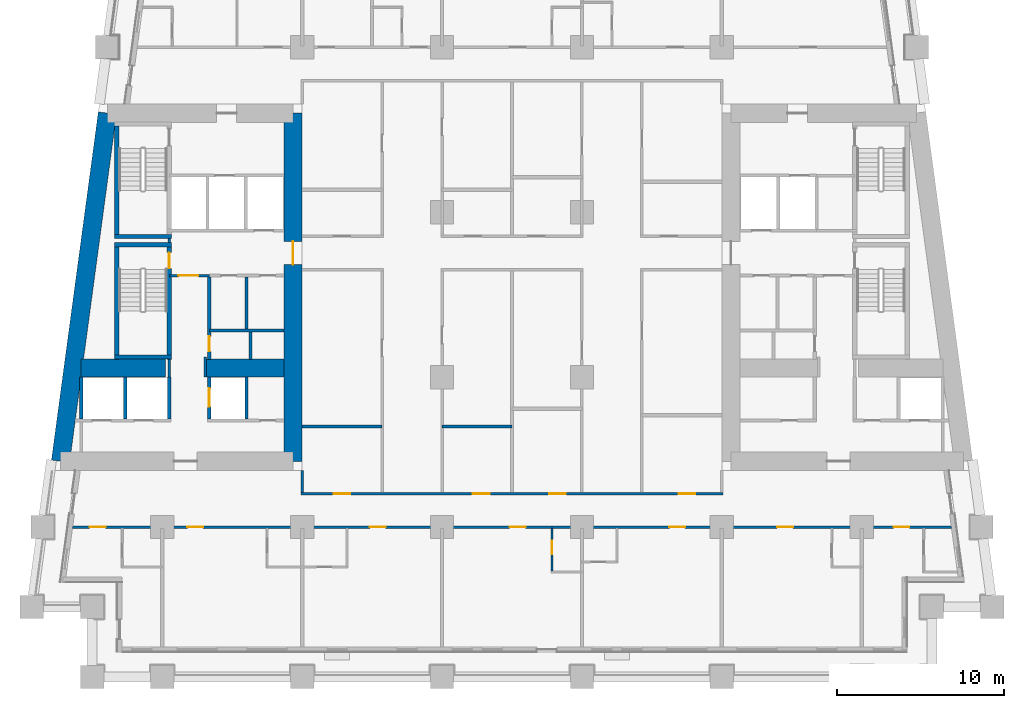
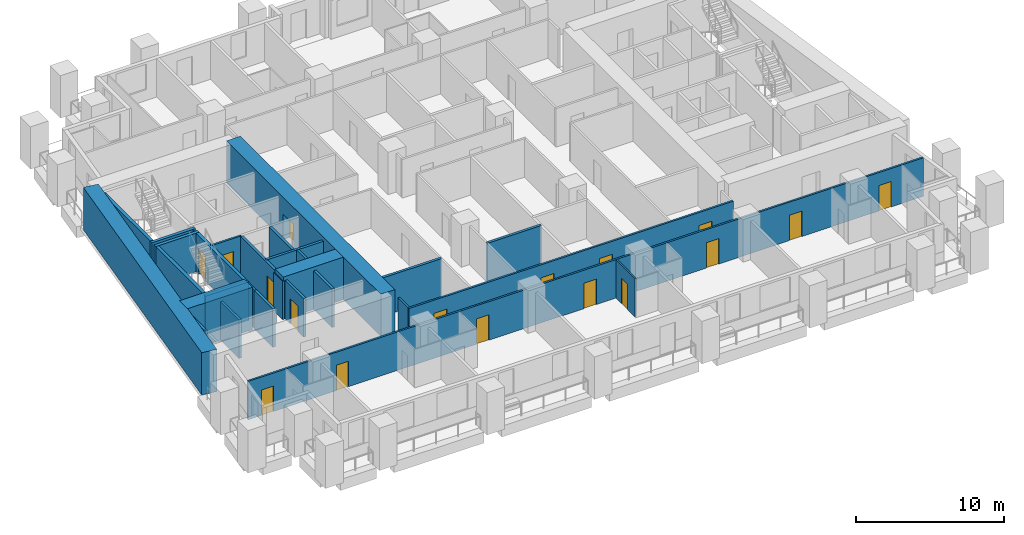
# One storey, part 3 of 13: 29 walls, 17 doors, 17 openings.
"""IFC4 building model written with IfcOpenShell, lengths in metres."""

from ifc_helpers import new_model, si_unit, direction, frame, frame_2d, origin, place, context, subcontext, project, spatial, rectangle, extrude, material, layer, layer_set, type_object, element, fill, save


model = new_model("IFC4")

# Units and contexts
model_context = context("Model", 3, precision=1e-05, world=origin(), true_north=direction((0.0, 1.0)))
body_context = subcontext(model_context, "Body", "Model", "MODEL_VIEW")
ifc_project = project(units=[si_unit("LENGTHUNIT", "METRE"), si_unit("AREAUNIT", "SQUARE_METRE"), si_unit("VOLUMEUNIT", "CUBIC_METRE"), si_unit("PLANEANGLEUNIT", "RADIAN"), si_unit("MASSUNIT", "GRAM", prefix="KILO")], contexts=[model_context])

# Site, building, storey
site_placement = place(None, origin())
site = spatial("IfcSite", under=ifc_project, at=site_placement, CompositionType="ELEMENT")
building_placement = place(site_placement, origin())
building = spatial("IfcBuilding", under=site, at=building_placement, Name="Candeia Pilgrim Tower and Theatre", CompositionType="ELEMENT")
storey_placement = place(building_placement, frame((0.0, 0.0, 60.0)))
storey = spatial("IfcBuildingStorey", under=building, at=storey_placement, Name="L12", CompositionType="ELEMENT", Elevation=60.0)

# Wall, opening, door
ifc_material_1 = material(Name="Concrete C80/95", Category="concrete")
ifc_layer_1 = layer(ifc_material_1, 1.10009765625)
ifc_layer_set_1 = layer_set([ifc_layer_1], Name="Core wall 1100 C80/95")
wall_type_1 = type_object("IfcWallType", Name="Core wall 1100 C80/95", PredefinedType="SHEAR", material=ifc_layer_set_1)
wall_1_placement = place(storey_placement, frame((100.25, 131.85009765625, 0.0), z_axis=(0.0, 0.0, 1.0), x_axis=(0.0, -1.0, 0.0)))
wall_1 = element("IfcWall", 1, at=wall_1_placement, inside=storey, type_object=wall_type_1, Name="Core wall W2", PredefinedType="SHEAR", context=body_context, shape_type="SweptSolid", body=[
    extrude(rectangle(XDim=20.900146484375, YDim=1.10009765625, at=frame_2d((10.4501953125, 0.0))), origin(), (0.0, 0.0, 1.0), 3.5),
])
opening_1_placement = place(wall_1_placement, frame((7.699951171875, 0.0, 0.0)))
opening_1 = element("IfcOpeningElement", 2, at=opening_1_placement, cuts=wall_1, Name="Opening L12-D059", PredefinedType="OPENING", context=body_context, shape_type="SweptSolid", body=[
    extrude(rectangle(XDim=1.39990234375, YDim=2.10009765625, at=frame_2d((0.699951171875, 1.050048828125))), frame((0.0, 0.56005859375, 0.0), z_axis=(0.0, -1.0, 0.0), x_axis=(1.0, 0.0, 0.0)), (0.0, 0.0, 1.0), 1.1201171875),
])
ifc_material_2 = material(Name="Steel fire door set", Category="steel")
door_type_1 = type_object("IfcDoorType", Name="D-1400-FD60", OperationType="NOTDEFINED", PredefinedType="DOOR", material=ifc_material_2)
door_1_placement = place(opening_1_placement, origin())
door_1 = element("IfcDoor", 3, at=door_1_placement, inside=storey, type_object=door_type_1, Name="Door L12-D059", OperationType="SINGLE_SWING_LEFT", OverallHeight=2.10009765625, OverallWidth=1.39990234375, PredefinedType="DOOR", context=body_context, shape_type="SweptSolid", body=[
    extrude(rectangle(XDim=1.39990234375, YDim=2.10009765625, at=frame_2d((0.699951171875, 1.050048828125))), frame((0.0, 0.02490234375, 0.0), z_axis=(0.0, -1.0, 0.0), x_axis=(1.0, 0.0, 0.0)), (0.0, 0.0, 1.0), 0.050048828125),
])
fill(opening_1, door_1)

# Walls
wall_2_placement = place(storey_placement, frame((86.29833984375, 110.949951171875, 0.0), z_axis=(0.0, 0.0, 1.0), x_axis=(0.133400422634, 0.99106222168, 0.0)))
element("IfcWall", 4, at=wall_2_placement, inside=storey, type_object=wall_type_1, Name="Core wall W4", PredefinedType="SHEAR", context=body_context, shape_type="SweptSolid", body=[
    extrude(rectangle(XDim=21.088623046875, YDim=1.10009765625, at=frame_2d((10.54443359375, 0.0))), origin(), (0.0, 0.0, 1.0), 3.5),
])
wall_3_placement = place(storey_placement, frame((87.523193359375, 116.550048828125, 0.0), z_axis=(0.0, 0.0, 1.0), x_axis=(1.0, 0.0, 0.0)))
element("IfcWall", 5, at=wall_3_placement, inside=storey, type_object=wall_type_1, Name="Core wall W5", PredefinedType="SHEAR", context=body_context, shape_type="SweptSolid", body=[
    extrude(rectangle(XDim=5.076904296875, YDim=1.10009765625, at=frame_2d((2.53857421875, 0.0))), origin(), (0.0, 0.0, 1.0), 3.5),
])
wall_4_placement = place(storey_placement, frame((95.0, 116.550048828125, 0.0), z_axis=(0.0, 0.0, 1.0), x_axis=(1.0, 0.0, 0.0)))
element("IfcWall", 6, at=wall_4_placement, inside=storey, type_object=wall_type_1, Name="Core wall W6", PredefinedType="SHEAR", context=body_context, shape_type="SweptSolid", body=[
    extrude(rectangle(XDim=4.699951171875, YDim=1.10009765625, at=frame_2d((2.35009765625, 0.0))), origin(), (0.0, 0.0, 1.0), 3.5),
])

# Wall, opening, door
ifc_material_3 = material(Name="Gypsum board partition on steel studs", Category="steel")
ifc_layer_2 = layer(ifc_material_3, 0.10009765625)
ifc_layer_set_2 = layer_set([ifc_layer_2], Name="PW-100 room partition")
wall_type_2 = type_object("IfcWallType", Name="PW-100 room partition", PredefinedType="PARTITIONING", material=ifc_layer_set_2)
wall_5_placement = place(storey_placement, frame((115.800048828125, 104.35009765625, 0.0), z_axis=(0.0, 0.0, 1.0), x_axis=(0.0, 1.0, 0.0)))
wall_5 = element("IfcWall", 7, at=wall_5_placement, inside=storey, type_object=wall_type_2, Name="Room partition L12-091", PredefinedType="PARTITIONING", context=body_context, shape_type="SweptSolid", body=[
    extrude(rectangle(XDim=2.574951171875, YDim=0.10009765625, at=frame_2d((1.28759765625, 0.0))), origin(), (0.0, 0.0, 1.0), 3.179931640625),
])
opening_2_placement = place(wall_5_placement, frame((1.02001953125, 0.0, 0.0)))
opening_2 = element("IfcOpeningElement", 8, at=opening_2_placement, cuts=wall_5, Name="Opening L12-D023", PredefinedType="OPENING", context=body_context, shape_type="SweptSolid", body=[
    extrude(rectangle(XDim=0.800048828125, YDim=2.10009765625, at=frame_2d((0.39990234375, 1.050048828125))), frame((0.0, 0.06005859375, 0.0), z_axis=(0.0, -1.0, 0.0), x_axis=(1.0, 0.0, 0.0)), (0.0, 0.0, 1.0), 0.1201171875),
])
ifc_material_4 = material(Name="Timber door leaf", Category="wood")
door_type_2 = type_object("IfcDoorType", Name="D-800", OperationType="NOTDEFINED", PredefinedType="DOOR", material=ifc_material_4)
door_2_placement = place(opening_2_placement, origin())
door_2 = element("IfcDoor", 9, at=door_2_placement, inside=storey, type_object=door_type_2, Name="Door L12-D023", OperationType="SINGLE_SWING_LEFT", OverallHeight=2.10009765625, OverallWidth=0.800048828125, PredefinedType="DOOR", context=body_context, shape_type="SweptSolid", body=[
    extrude(rectangle(XDim=0.800048828125, YDim=2.10009765625, at=frame_2d((0.39990234375, 1.050048828125))), frame((0.0, 0.02490234375, 0.0), z_axis=(0.0, -1.0, 0.0), x_axis=(1.0, 0.0, 0.0)), (0.0, 0.0, 1.0), 0.050048828125),
])
fill(opening_2, door_2)

ifc_layer_3 = layer(ifc_material_3, 0.14990234375)
ifc_layer_set_3 = layer_set([ifc_layer_3], Name="PW-150 lobby wall")
wall_type_3 = type_object("IfcWallType", Name="PW-150 lobby wall", PredefinedType="PARTITIONING", material=ifc_layer_set_3)
wall_6_placement = place(storey_placement, frame((92.826904296875, 122.10009765625, 0.0), z_axis=(0.0, 0.0, 1.0), x_axis=(1.0, 0.0, 0.0)))
wall_6 = element("IfcWall", 10, at=wall_6_placement, inside=storey, type_object=wall_type_3, Name="Lobby wall L12-023", PredefinedType="PARTITIONING", context=body_context, shape_type="SweptSolid", body=[
    extrude(rectangle(XDim=2.400146484375, YDim=0.14990234375, at=frame_2d((1.2001953125, 0.0))), origin(), (0.0, 0.0, 1.0), 3.179931640625),
])
opening_3_placement = place(wall_6_placement, frame((0.550048828125, 0.0, 0.0)))
opening_3 = element("IfcOpeningElement", 11, at=opening_3_placement, cuts=wall_6, Name="Opening L12-D001", PredefinedType="OPENING", context=body_context, shape_type="SweptSolid", body=[
    extrude(rectangle(XDim=1.199951171875, YDim=2.10009765625, at=frame_2d((0.60009765625, 1.050048828125))), frame((0.0, 0.0849609375, 0.0), z_axis=(0.0, -1.0, 0.0), x_axis=(1.0, 0.0, 0.0)), (0.0, 0.0, 1.0), 0.169921875),
])
door_type_3 = type_object("IfcDoorType", Name="D-1200-FD60", OperationType="NOTDEFINED", PredefinedType="DOOR", material=ifc_material_2)
door_3_placement = place(opening_3_placement, origin())
door_3 = element("IfcDoor", 12, at=door_3_placement, inside=storey, type_object=door_type_3, Name="Door L12-D001", OperationType="SINGLE_SWING_LEFT", OverallHeight=2.10009765625, OverallWidth=1.199951171875, PredefinedType="DOOR", context=body_context, shape_type="SweptSolid", body=[
    extrude(rectangle(XDim=1.199951171875, YDim=2.10009765625, at=frame_2d((0.60009765625, 1.050048828125))), frame((0.0, 0.02490234375, 0.0), z_axis=(0.0, -1.0, 0.0), x_axis=(1.0, 0.0, 0.0)), (0.0, 0.0, 1.0), 0.050048828125),
])
fill(opening_3, door_3)

# Walls
wall_7_placement = place(storey_placement, frame((92.826904296875, 116.0, 0.0), z_axis=(0.0, 0.0, 1.0), x_axis=(0.0, 1.0, 0.0)))
element("IfcWall", 13, at=wall_7_placement, inside=storey, type_object=wall_type_3, Name="Lobby wall L12-061", PredefinedType="PARTITIONING", context=body_context, shape_type="SweptSolid", body=[
    extrude(rectangle(XDim=1.070068359375, YDim=0.14990234375, at=frame_2d((0.53515625, 0.0))), origin(), (0.0, 0.0, 1.0), 3.179931640625),
])
wall_8_placement = place(storey_placement, frame((92.826904296875, 124.074951171875, 0.0), z_axis=(0.0, 0.0, 1.0), x_axis=(0.0, 1.0, 0.0)))
element("IfcWall", 14, at=wall_8_placement, inside=storey, type_object=wall_type_3, Name="Lobby wall L12-062", PredefinedType="PARTITIONING", context=body_context, shape_type="SweptSolid", body=[
    extrude(rectangle(XDim=0.25, YDim=0.14990234375, at=frame_2d((0.125, 0.0))), origin(), (0.0, 0.0, 1.0), 3.179931640625),
])
wall_9_placement = place(storey_placement, frame((95.0, 116.0, 0.0), z_axis=(0.0, 0.0, 1.0), x_axis=(0.0, 1.0, 0.0)))
element("IfcWall", 15, at=wall_9_placement, inside=storey, type_object=wall_type_3, Name="Lobby wall L12-066", PredefinedType="PARTITIONING", context=body_context, shape_type="SweptSolid", body=[
    extrude(rectangle(XDim=1.199951171875, YDim=0.14990234375, at=frame_2d((0.60009765625, 0.0))), origin(), (0.0, 0.0, 1.0), 3.179931640625),
])

# Wall, openings, doors
ifc_layer_4 = layer(ifc_material_3, 0.14990234375)
ifc_layer_set_4 = layer_set([ifc_layer_4], Name="PW-150 unit wall")
wall_type_4 = type_object("IfcWallType", Name="PW-150 unit wall", PredefinedType="PARTITIONING", material=ifc_layer_set_4)
wall_10_placement = place(storey_placement, frame((87.017578125, 107.0, 0.0), z_axis=(0.0, 0.0, 1.0), x_axis=(1.0, 0.0, 0.0)))
wall_10 = element("IfcWall", 16, at=wall_10_placement, inside=storey, type_object=wall_type_4, Name="Unit wall L12-007", PredefinedType="PARTITIONING", context=body_context, shape_type="SweptSolid", body=[
    extrude(rectangle(XDim=52.7646484375, YDim=0.14990234375, at=frame_2d((26.38232421875, 0.0))), origin(), (0.0, 0.0, 1.0), 3.179931640625),
])
opening_4_placement = place(wall_10_placement, frame((1.0322265625, 0.0, 0.0)))
opening_4 = element("IfcOpeningElement", 17, at=opening_4_placement, cuts=wall_10, Name="Opening L12-D016", PredefinedType="OPENING", context=body_context, shape_type="SweptSolid", body=[
    extrude(rectangle(XDim=0.949951171875, YDim=2.10009765625, at=frame_2d((0.47509765625, 1.050048828125))), frame((0.0, 0.0849609375, 0.0), z_axis=(0.0, -1.0, 0.0), x_axis=(1.0, 0.0, 0.0)), (0.0, 0.0, 1.0), 0.169921875),
])
opening_5_placement = place(wall_10_placement, frame((6.894287109375, 0.0, 0.0)))
opening_5 = element("IfcOpeningElement", 18, at=opening_5_placement, cuts=wall_10, Name="Opening L12-D018", PredefinedType="OPENING", context=body_context, shape_type="SweptSolid", body=[
    extrude(rectangle(XDim=0.949951171875, YDim=2.10009765625, at=frame_2d((0.47509765625, 1.050048828125))), frame((0.0, 0.0849609375, 0.0), z_axis=(0.0, -1.0, 0.0), x_axis=(1.0, 0.0, 0.0)), (0.0, 0.0, 1.0), 0.169921875),
])
opening_6_placement = place(wall_10_placement, frame((17.84423828125, 0.0, 0.0)))
opening_6 = element("IfcOpeningElement", 19, at=opening_6_placement, cuts=wall_10, Name="Opening L12-D020", PredefinedType="OPENING", context=body_context, shape_type="SweptSolid", body=[
    extrude(rectangle(XDim=0.949951171875, YDim=2.10009765625, at=frame_2d((0.47509765625, 1.050048828125))), frame((0.0, 0.0849609375, 0.0), z_axis=(0.0, -1.0, 0.0), x_axis=(1.0, 0.0, 0.0)), (0.0, 0.0, 1.0), 0.169921875),
])
opening_7_placement = place(wall_10_placement, frame((26.245361328125, 0.0, 0.0)))
opening_7 = element("IfcOpeningElement", 20, at=opening_7_placement, cuts=wall_10, Name="Opening L12-D022", PredefinedType="OPENING", context=body_context, shape_type="SweptSolid", body=[
    extrude(rectangle(XDim=0.949951171875, YDim=2.10009765625, at=frame_2d((0.47509765625, 1.050048828125))), frame((0.0, 0.0849609375, 0.0), z_axis=(0.0, -1.0, 0.0), x_axis=(1.0, 0.0, 0.0)), (0.0, 0.0, 1.0), 0.169921875),
])
opening_8_placement = place(wall_10_placement, frame((35.822265625, 0.0, 0.0)))
opening_8 = element("IfcOpeningElement", 21, at=opening_8_placement, cuts=wall_10, Name="Opening L12-D024", PredefinedType="OPENING", context=body_context, shape_type="SweptSolid", body=[
    extrude(rectangle(XDim=0.949951171875, YDim=2.10009765625, at=frame_2d((0.47509765625, 1.050048828125))), frame((0.0, 0.0849609375, 0.0), z_axis=(0.0, -1.0, 0.0), x_axis=(1.0, 0.0, 0.0)), (0.0, 0.0, 1.0), 0.169921875),
])
opening_9_placement = place(wall_10_placement, frame((42.30224609375, 0.0, 0.0)))
opening_9 = element("IfcOpeningElement", 22, at=opening_9_placement, cuts=wall_10, Name="Opening L12-D026", PredefinedType="OPENING", context=body_context, shape_type="SweptSolid", body=[
    extrude(rectangle(XDim=0.949951171875, YDim=2.10009765625, at=frame_2d((0.47509765625, 1.050048828125))), frame((0.0, 0.0849609375, 0.0), z_axis=(0.0, -1.0, 0.0), x_axis=(1.0, 0.0, 0.0)), (0.0, 0.0, 1.0), 0.169921875),
])
opening_10_placement = place(wall_10_placement, frame((49.285400390625, 0.0, 0.0)))
opening_10 = element("IfcOpeningElement", 23, at=opening_10_placement, cuts=wall_10, Name="Opening L12-D028", PredefinedType="OPENING", context=body_context, shape_type="SweptSolid", body=[
    extrude(rectangle(XDim=0.949951171875, YDim=2.10009765625, at=frame_2d((0.47509765625, 1.050048828125))), frame((0.0, 0.0849609375, 0.0), z_axis=(0.0, -1.0, 0.0), x_axis=(1.0, 0.0, 0.0)), (0.0, 0.0, 1.0), 0.169921875),
])
door_type_4 = type_object("IfcDoorType", Name="D-950-FD30S", OperationType="NOTDEFINED", PredefinedType="DOOR", material=ifc_material_2)
door_4_placement = place(opening_4_placement, origin())
door_4 = element("IfcDoor", 24, at=door_4_placement, inside=storey, type_object=door_type_4, Name="Door L12-D016", OperationType="SINGLE_SWING_RIGHT", OverallHeight=2.10009765625, OverallWidth=0.949951171875, PredefinedType="DOOR", context=body_context, shape_type="SweptSolid", body=[
    extrude(rectangle(XDim=0.949951171875, YDim=2.10009765625, at=frame_2d((0.47509765625, 1.050048828125))), frame((0.0, 0.02490234375, 0.0), z_axis=(0.0, -1.0, 0.0), x_axis=(1.0, 0.0, 0.0)), (0.0, 0.0, 1.0), 0.050048828125),
])
fill(opening_4, door_4)
door_5_placement = place(opening_5_placement, origin())
door_5 = element("IfcDoor", 25, at=door_5_placement, inside=storey, type_object=door_type_4, Name="Door L12-D018", OperationType="SINGLE_SWING_RIGHT", OverallHeight=2.10009765625, OverallWidth=0.949951171875, PredefinedType="DOOR", context=body_context, shape_type="SweptSolid", body=[
    extrude(rectangle(XDim=0.949951171875, YDim=2.10009765625, at=frame_2d((0.47509765625, 1.050048828125))), frame((0.0, 0.02490234375, 0.0), z_axis=(0.0, -1.0, 0.0), x_axis=(1.0, 0.0, 0.0)), (0.0, 0.0, 1.0), 0.050048828125),
])
fill(opening_5, door_5)
door_6_placement = place(opening_6_placement, origin())
door_6 = element("IfcDoor", 26, at=door_6_placement, inside=storey, type_object=door_type_4, Name="Door L12-D020", OperationType="SINGLE_SWING_RIGHT", OverallHeight=2.10009765625, OverallWidth=0.949951171875, PredefinedType="DOOR", context=body_context, shape_type="SweptSolid", body=[
    extrude(rectangle(XDim=0.949951171875, YDim=2.10009765625, at=frame_2d((0.47509765625, 1.050048828125))), frame((0.0, 0.02490234375, 0.0), z_axis=(0.0, -1.0, 0.0), x_axis=(1.0, 0.0, 0.0)), (0.0, 0.0, 1.0), 0.050048828125),
])
fill(opening_6, door_6)
door_7_placement = place(opening_7_placement, origin())
door_7 = element("IfcDoor", 27, at=door_7_placement, inside=storey, type_object=door_type_4, Name="Door L12-D022", OperationType="SINGLE_SWING_RIGHT", OverallHeight=2.10009765625, OverallWidth=0.949951171875, PredefinedType="DOOR", context=body_context, shape_type="SweptSolid", body=[
    extrude(rectangle(XDim=0.949951171875, YDim=2.10009765625, at=frame_2d((0.47509765625, 1.050048828125))), frame((0.0, 0.02490234375, 0.0), z_axis=(0.0, -1.0, 0.0), x_axis=(1.0, 0.0, 0.0)), (0.0, 0.0, 1.0), 0.050048828125),
])
fill(opening_7, door_7)
door_8_placement = place(opening_8_placement, origin())
door_8 = element("IfcDoor", 28, at=door_8_placement, inside=storey, type_object=door_type_4, Name="Door L12-D024", OperationType="SINGLE_SWING_RIGHT", OverallHeight=2.10009765625, OverallWidth=0.949951171875, PredefinedType="DOOR", context=body_context, shape_type="SweptSolid", body=[
    extrude(rectangle(XDim=0.949951171875, YDim=2.10009765625, at=frame_2d((0.47509765625, 1.050048828125))), frame((0.0, 0.02490234375, 0.0), z_axis=(0.0, -1.0, 0.0), x_axis=(1.0, 0.0, 0.0)), (0.0, 0.0, 1.0), 0.050048828125),
])
fill(opening_8, door_8)
door_9_placement = place(opening_9_placement, origin())
door_9 = element("IfcDoor", 29, at=door_9_placement, inside=storey, type_object=door_type_4, Name="Door L12-D026", OperationType="SINGLE_SWING_RIGHT", OverallHeight=2.10009765625, OverallWidth=0.949951171875, PredefinedType="DOOR", context=body_context, shape_type="SweptSolid", body=[
    extrude(rectangle(XDim=0.949951171875, YDim=2.10009765625, at=frame_2d((0.47509765625, 1.050048828125))), frame((0.0, 0.02490234375, 0.0), z_axis=(0.0, -1.0, 0.0), x_axis=(1.0, 0.0, 0.0)), (0.0, 0.0, 1.0), 0.050048828125),
])
fill(opening_9, door_9)
door_10_placement = place(opening_10_placement, origin())
door_10 = element("IfcDoor", 30, at=door_10_placement, inside=storey, type_object=door_type_4, Name="Door L12-D028", OperationType="SINGLE_SWING_RIGHT", OverallHeight=2.10009765625, OverallWidth=0.949951171875, PredefinedType="DOOR", context=body_context, shape_type="SweptSolid", body=[
    extrude(rectangle(XDim=0.949951171875, YDim=2.10009765625, at=frame_2d((0.47509765625, 1.050048828125))), frame((0.0, 0.02490234375, 0.0), z_axis=(0.0, -1.0, 0.0), x_axis=(1.0, 0.0, 0.0)), (0.0, 0.0, 1.0), 0.050048828125),
])
fill(opening_10, door_10)

wall_11_placement = place(storey_placement, frame((100.72509765625, 109.0, 0.0), z_axis=(0.0, 0.0, 1.0), x_axis=(1.0, 0.0, 0.0)))
wall_11 = element("IfcWall", 31, at=wall_11_placement, inside=storey, type_object=wall_type_4, Name="Unit wall L12-008", PredefinedType="PARTITIONING", context=body_context, shape_type="SweptSolid", body=[
    extrude(rectangle(XDim=25.349853515625, YDim=0.14990234375, at=frame_2d((12.6748046875, 0.0))), origin(), (0.0, 0.0, 1.0), 3.179931640625),
])
opening_11_placement = place(wall_11_placement, frame((1.97509765625, 0.0, 0.0)))
opening_11 = element("IfcOpeningElement", 32, at=opening_11_placement, cuts=wall_11, Name="Opening L12-D041", PredefinedType="OPENING", context=body_context, shape_type="SweptSolid", body=[
    extrude(rectangle(XDim=1.0, YDim=2.10009765625, at=frame_2d((0.5, 1.050048828125))), frame((0.0, 0.0849609375, 0.0), z_axis=(0.0, -1.0, 0.0), x_axis=(1.0, 0.0, 0.0)), (0.0, 0.0, 1.0), 0.169921875),
])
opening_12_placement = place(wall_11_placement, frame((10.324951171875, 0.0, 0.0)))
opening_12 = element("IfcOpeningElement", 33, at=opening_12_placement, cuts=wall_11, Name="Opening L12-D045", PredefinedType="OPENING", context=body_context, shape_type="SweptSolid", body=[
    extrude(rectangle(XDim=1.0, YDim=2.10009765625, at=frame_2d((0.5, 1.050048828125))), frame((0.0, 0.0849609375, 0.0), z_axis=(0.0, -1.0, 0.0), x_axis=(1.0, 0.0, 0.0)), (0.0, 0.0, 1.0), 0.169921875),
])
opening_13_placement = place(wall_11_placement, frame((14.89990234375, 0.0, 0.0)))
opening_13 = element("IfcOpeningElement", 34, at=opening_13_placement, cuts=wall_11, Name="Opening L12-D049", PredefinedType="OPENING", context=body_context, shape_type="SweptSolid", body=[
    extrude(rectangle(XDim=1.0, YDim=2.10009765625, at=frame_2d((0.5, 1.050048828125))), frame((0.0, 0.0849609375, 0.0), z_axis=(0.0, -1.0, 0.0), x_axis=(1.0, 0.0, 0.0)), (0.0, 0.0, 1.0), 0.169921875),
])
opening_14_placement = place(wall_11_placement, frame((22.68505859375, 0.0, 0.0)))
opening_14 = element("IfcOpeningElement", 35, at=opening_14_placement, cuts=wall_11, Name="Opening L12-D053", PredefinedType="OPENING", context=body_context, shape_type="SweptSolid", body=[
    extrude(rectangle(XDim=1.0, YDim=2.10009765625, at=frame_2d((0.5, 1.050048828125))), frame((0.0, 0.0849609375, 0.0), z_axis=(0.0, -1.0, 0.0), x_axis=(1.0, 0.0, 0.0)), (0.0, 0.0, 1.0), 0.169921875),
])
door_type_5 = type_object("IfcDoorType", Name="D-1000-FD30S", OperationType="NOTDEFINED", PredefinedType="DOOR", material=ifc_material_2)
door_11_placement = place(opening_11_placement, origin())
door_11 = element("IfcDoor", 36, at=door_11_placement, inside=storey, type_object=door_type_5, Name="Door L12-D041", OperationType="SINGLE_SWING_LEFT", OverallHeight=2.10009765625, OverallWidth=1.0, PredefinedType="DOOR", context=body_context, shape_type="SweptSolid", body=[
    extrude(rectangle(XDim=1.0, YDim=2.10009765625, at=frame_2d((0.5, 1.050048828125))), frame((0.0, 0.02490234375, 0.0), z_axis=(0.0, -1.0, 0.0), x_axis=(1.0, 0.0, 0.0)), (0.0, 0.0, 1.0), 0.050048828125),
])
fill(opening_11, door_11)
door_12_placement = place(opening_12_placement, origin())
door_12 = element("IfcDoor", 37, at=door_12_placement, inside=storey, type_object=door_type_5, Name="Door L12-D045", OperationType="SINGLE_SWING_LEFT", OverallHeight=2.10009765625, OverallWidth=1.0, PredefinedType="DOOR", context=body_context, shape_type="SweptSolid", body=[
    extrude(rectangle(XDim=1.0, YDim=2.10009765625, at=frame_2d((0.5, 1.050048828125))), frame((0.0, 0.02490234375, 0.0), z_axis=(0.0, -1.0, 0.0), x_axis=(1.0, 0.0, 0.0)), (0.0, 0.0, 1.0), 0.050048828125),
])
fill(opening_12, door_12)
door_13_placement = place(opening_13_placement, origin())
door_13 = element("IfcDoor", 38, at=door_13_placement, inside=storey, type_object=door_type_5, Name="Door L12-D049", OperationType="SINGLE_SWING_LEFT", OverallHeight=2.10009765625, OverallWidth=1.0, PredefinedType="DOOR", context=body_context, shape_type="SweptSolid", body=[
    extrude(rectangle(XDim=1.0, YDim=2.10009765625, at=frame_2d((0.5, 1.050048828125))), frame((0.0, 0.02490234375, 0.0), z_axis=(0.0, -1.0, 0.0), x_axis=(1.0, 0.0, 0.0)), (0.0, 0.0, 1.0), 0.050048828125),
])
fill(opening_13, door_13)
door_14_placement = place(opening_14_placement, origin())
door_14 = element("IfcDoor", 39, at=door_14_placement, inside=storey, type_object=door_type_5, Name="Door L12-D053", OperationType="SINGLE_SWING_LEFT", OverallHeight=2.10009765625, OverallWidth=1.0, PredefinedType="DOOR", context=body_context, shape_type="SweptSolid", body=[
    extrude(rectangle(XDim=1.0, YDim=2.10009765625, at=frame_2d((0.5, 1.050048828125))), frame((0.0, 0.02490234375, 0.0), z_axis=(0.0, -1.0, 0.0), x_axis=(1.0, 0.0, 0.0)), (0.0, 0.0, 1.0), 0.050048828125),
])
fill(opening_14, door_14)

# Walls
wall_12_placement = place(storey_placement, frame((100.800048828125, 109.074951171875, 0.0), z_axis=(0.0, 0.0, 1.0), x_axis=(0.0, 1.0, 0.0)))
element("IfcWall", 40, at=wall_12_placement, inside=storey, type_object=wall_type_4, Name="Unit wall L12-078", PredefinedType="PARTITIONING", context=body_context, shape_type="SweptSolid", body=[
    extrude(rectangle(XDim=1.324951171875, YDim=0.14990234375, at=frame_2d((0.66259765625, 0.0))), origin(), (0.0, 0.0, 1.0), 3.179931640625),
])
ifc_layer_5 = layer(ifc_material_3, 0.199951171875)
ifc_layer_set_5 = layer_set([ifc_layer_5], Name="PW-200 party wall")
wall_type_5 = type_object("IfcWallType", Name="PW-200 party wall", PredefinedType="PARTITIONING", material=ifc_layer_set_5)
wall_13_placement = place(storey_placement, frame((100.800048828125, 113.034912109375, 0.0), z_axis=(0.0, 0.0, 1.0), x_axis=(1.0, 0.0, 0.0)))
element("IfcWall", 41, at=wall_13_placement, inside=storey, type_object=wall_type_5, Name="Party wall L12-009", PredefinedType="PARTITIONING", context=body_context, shape_type="SweptSolid", body=[
    extrude(rectangle(XDim=4.800048828125, YDim=0.199951171875, at=frame_2d((2.39990234375, 0.0))), origin(), (0.0, 0.0, 1.0), 3.179931640625),
])
wall_14_placement = place(storey_placement, frame((109.199951171875, 113.034912109375, 0.0), z_axis=(0.0, 0.0, 1.0), x_axis=(1.0, 0.0, 0.0)))
element("IfcWall", 42, at=wall_14_placement, inside=storey, type_object=wall_type_5, Name="Party wall L12-010", PredefinedType="PARTITIONING", context=body_context, shape_type="SweptSolid", body=[
    extrude(rectangle(XDim=4.199951171875, YDim=0.199951171875, at=frame_2d((2.10009765625, 0.0))), origin(), (0.0, 0.0, 1.0), 3.179931640625),
])
ifc_material_5 = material(Name="Concrete C40/50", Category="concrete")
ifc_layer_6 = layer(ifc_material_5, 0.199951171875)
ifc_layer_set_6 = layer_set([ifc_layer_6], Name="SW-200 shaft wall")
wall_type_6 = type_object("IfcWallType", Name="SW-200 shaft wall", PredefinedType="PARTITIONING", material=ifc_layer_set_6)
wall_15_placement = place(storey_placement, frame((95.22705078125, 118.800048828125, 0.0), z_axis=(0.0, 0.0, 1.0), x_axis=(1.0, 0.0, 0.0)))
element("IfcWall", 43, at=wall_15_placement, inside=storey, type_object=wall_type_6, Name="Shaft wall L12-019", PredefinedType="PARTITIONING", context=body_context, shape_type="SweptSolid", body=[
    extrude(rectangle(XDim=4.472900390625, YDim=0.199951171875, at=frame_2d((2.236328125, 0.0))), origin(), (0.0, 0.0, 1.0), 3.179931640625),
])
for number, where, z_axis, x_axis, name in (
    (44, (87.552001953125, 113.5, 0.0), (0.0, 0.0, 1.0), (0.0, 1.0, 0.0), "Shaft wall L12-053"),
    (45, (90.178466796875, 113.5, 0.0), (0.0, 0.0, 1.0), (0.0, 1.0, 0.0), "Shaft wall L12-058"),
    (46, (92.826904296875, 113.5, 0.0), (0.0, 0.0, 1.0), (0.0, 1.0, 0.0), "Shaft wall L12-060"),
):
    element("IfcWall", number, at=place(storey_placement, frame(where, z_axis=z_axis, x_axis=x_axis)), inside=storey, type_object=wall_type_6, Name=name, PredefinedType="PARTITIONING", context=body_context, shape_type="SweptSolid", body=[
        extrude(rectangle(XDim=2.5, YDim=0.199951171875, at=frame_2d((1.25, 0.0))), origin(), (0.0, 0.0, 1.0), 3.179931640625),
    ])

# Wall, opening, door
wall_16_placement = place(storey_placement, frame((95.22705078125, 113.5, 0.0), z_axis=(0.0, 0.0, 1.0), x_axis=(0.0, 1.0, 0.0)))
wall_16 = element("IfcWall", 47, at=wall_16_placement, inside=storey, type_object=wall_type_6, Name="Shaft wall L12-068", PredefinedType="PARTITIONING", context=body_context, shape_type="SweptSolid", body=[
    extrude(rectangle(XDim=2.5, YDim=0.199951171875, at=frame_2d((1.25, 0.0))), origin(), (0.0, 0.0, 1.0), 3.179931640625),
])
opening_15_placement = place(wall_16_placement, frame((0.72998046875, 0.0, 0.0)))
opening_15 = element("IfcOpeningElement", 48, at=opening_15_placement, cuts=wall_16, Name="Opening L12-LD05", PredefinedType="OPENING", context=body_context, shape_type="SweptSolid", body=[
    extrude(rectangle(XDim=1.10009765625, YDim=2.10009765625, at=frame_2d((0.550048828125, 1.050048828125))), frame((0.0, 0.10986328125, 0.0), z_axis=(0.0, -1.0, 0.0), x_axis=(1.0, 0.0, 0.0)), (0.0, 0.0, 1.0), 0.219970703125),
])
ifc_material_6 = material(Name="Glazed aluminium landing door", Category="aluminium")
door_type_6 = type_object("IfcDoorType", Name="LD-1100-EI120", OperationType="SLIDING_TO_LEFT", PredefinedType="DOOR", material=ifc_material_6)
door_15_placement = place(opening_15_placement, origin())
door_15 = element("IfcDoor", 49, at=door_15_placement, inside=storey, type_object=door_type_6, Name="Landing door 05 L12", OperationType="SLIDING_TO_LEFT", OverallHeight=2.10009765625, OverallWidth=1.10009765625, PredefinedType="DOOR", context=body_context, shape_type="SweptSolid", body=[
    extrude(rectangle(XDim=1.10009765625, YDim=2.10009765625, at=frame_2d((0.550048828125, 1.050048828125))), frame((0.0, 0.02490234375, 0.0), z_axis=(0.0, -1.0, 0.0), x_axis=(1.0, 0.0, 0.0)), (0.0, 0.0, 1.0), 0.050048828125),
])
fill(opening_15, door_15)

wall_17_placement = place(storey_placement, frame((95.22705078125, 117.070068359375, 0.0), z_axis=(0.0, 0.0, 1.0), x_axis=(0.0, 1.0, 0.0)))
wall_17 = element("IfcWall", 50, at=wall_17_placement, inside=storey, type_object=wall_type_6, Name="Shaft wall L12-069", PredefinedType="PARTITIONING", context=body_context, shape_type="SweptSolid", body=[
    extrude(rectangle(XDim=4.929931640625, YDim=0.199951171875, at=frame_2d((2.46484375, 0.0))), origin(), (0.0, 0.0, 1.0), 3.179931640625),
])
opening_16_placement = place(wall_17_placement, frame((0.47998046875, 0.0, 0.0)))
opening_16 = element("IfcOpeningElement", 51, at=opening_16_placement, cuts=wall_17, Name="Opening L12-D006", PredefinedType="OPENING", context=body_context, shape_type="SweptSolid", body=[
    extrude(rectangle(XDim=0.89990234375, YDim=2.10009765625, at=frame_2d((0.449951171875, 1.050048828125))), frame((0.0, 0.10986328125, 0.0), z_axis=(0.0, -1.0, 0.0), x_axis=(1.0, 0.0, 0.0)), (0.0, 0.0, 1.0), 0.219970703125),
])
door_type_7 = type_object("IfcDoorType", Name="D-900-FD60", OperationType="NOTDEFINED", PredefinedType="DOOR", material=ifc_material_2)
door_16_placement = place(opening_16_placement, origin())
door_16 = element("IfcDoor", 52, at=door_16_placement, inside=storey, type_object=door_type_7, Name="Door L12-D006", OperationType="SINGLE_SWING_RIGHT", OverallHeight=2.10009765625, OverallWidth=0.89990234375, PredefinedType="DOOR", context=body_context, shape_type="SweptSolid", body=[
    extrude(rectangle(XDim=0.89990234375, YDim=2.10009765625, at=frame_2d((0.449951171875, 1.050048828125))), frame((0.0, 0.02490234375, 0.0), z_axis=(0.0, -1.0, 0.0), x_axis=(1.0, 0.0, 0.0)), (0.0, 0.0, 1.0), 0.050048828125),
])
fill(opening_16, door_16)

# Walls
wall_18_placement = place(storey_placement, frame((97.46337890625, 113.5, 0.0), z_axis=(0.0, 0.0, 1.0), x_axis=(0.0, 1.0, 0.0)))
element("IfcWall", 53, at=wall_18_placement, inside=storey, type_object=wall_type_6, Name="Shaft wall L12-072", PredefinedType="PARTITIONING", context=body_context, shape_type="SweptSolid", body=[
    extrude(rectangle(XDim=2.5, YDim=0.199951171875, at=frame_2d((1.25, 0.0))), origin(), (0.0, 0.0, 1.0), 3.179931640625),
])
wall_19_placement = place(storey_placement, frame((97.46337890625, 118.89990234375, 0.0), z_axis=(0.0, 0.0, 1.0), x_axis=(0.0, 1.0, 0.0)))
element("IfcWall", 54, at=wall_19_placement, inside=storey, type_object=wall_type_6, Name="Shaft wall L12-073", PredefinedType="PARTITIONING", context=body_context, shape_type="SweptSolid", body=[
    extrude(rectangle(XDim=3.10009765625, YDim=0.199951171875, at=frame_2d((1.550048828125, 0.0))), origin(), (0.0, 0.0, 1.0), 3.179931640625),
])
wall_20_placement = place(storey_placement, frame((97.699951171875, 117.070068359375, 0.0), z_axis=(0.0, 0.0, 1.0), x_axis=(0.0, 1.0, 0.0)))
element("IfcWall", 55, at=wall_20_placement, inside=storey, type_object=wall_type_6, Name="Shaft wall L12-074", PredefinedType="PARTITIONING", context=body_context, shape_type="SweptSolid", body=[
    extrude(rectangle(XDim=1.6298828125, YDim=0.199951171875, at=frame_2d((0.81494140625, 0.0))), origin(), (0.0, 0.0, 1.0), 3.179931640625),
])
ifc_layer_7 = layer(ifc_material_5, 0.25)
ifc_layer_set_7 = layer_set([ifc_layer_7], Name="SW-250 stair wall")
wall_type_7 = type_object("IfcWallType", Name="SW-250 stair wall", PredefinedType="PARTITIONING", material=ifc_layer_set_7)
for number, where, z_axis, x_axis, name in (
    (56, (89.552001953125, 117.199951171875, 0.0), (0.0, 0.0, 1.0), (1.0, 0.0, 0.0), "Stair wall L12-017"),
    (57, (89.552001953125, 123.949951171875, 0.0), (0.0, 0.0, 1.0), (1.0, 0.0, 0.0), "Stair wall L12-028"),
    (58, (89.552001953125, 124.449951171875, 0.0), (0.0, 0.0, 1.0), (1.0, 0.0, 0.0), "Stair wall L12-030"),
):
    element("IfcWall", number, at=place(storey_placement, frame(where, z_axis=z_axis, x_axis=x_axis)), inside=storey, type_object=wall_type_7, Name=name, PredefinedType="PARTITIONING", context=body_context, shape_type="SweptSolid", body=[
        extrude(rectangle(XDim=3.39990234375, YDim=0.25, at=frame_2d((1.699951171875, 0.0))), origin(), (0.0, 0.0, 1.0), 3.179931640625),
    ])
wall_21_placement = place(storey_placement, frame((89.677001953125, 117.070068359375, 0.0), z_axis=(0.0, 0.0, 1.0), x_axis=(0.0, 1.0, 0.0)))
element("IfcWall", 59, at=wall_21_placement, inside=storey, type_object=wall_type_7, Name="Stair wall L12-055", PredefinedType="PARTITIONING", context=body_context, shape_type="SweptSolid", body=[
    extrude(rectangle(XDim=6.7548828125, YDim=0.25, at=frame_2d((3.37744140625, 0.0))), origin(), (0.0, 0.0, 1.0), 3.179931640625),
])
wall_22_placement = place(storey_placement, frame((89.677001953125, 124.574951171875, 0.0), z_axis=(0.0, 0.0, 1.0), x_axis=(0.0, 1.0, 0.0)))
element("IfcWall", 60, at=wall_22_placement, inside=storey, type_object=wall_type_7, Name="Stair wall L12-056", PredefinedType="PARTITIONING", context=body_context, shape_type="SweptSolid", body=[
    extrude(rectangle(XDim=6.5, YDim=0.25, at=frame_2d((3.25, 0.0))), origin(), (0.0, 0.0, 1.0), 3.179931640625),
])

# Wall, opening, door
wall_23_placement = place(storey_placement, frame((92.826904296875, 117.070068359375, 0.0), z_axis=(0.0, 0.0, 1.0), x_axis=(0.0, 1.0, 0.0)))
wall_23 = element("IfcWall", 61, at=wall_23_placement, inside=storey, type_object=wall_type_7, Name="Stair wall L12-063", PredefinedType="PARTITIONING", context=body_context, shape_type="SweptSolid", body=[
    extrude(rectangle(XDim=6.7548828125, YDim=0.25, at=frame_2d((3.37744140625, 0.0))), origin(), (0.0, 0.0, 1.0), 3.179931640625),
])
opening_17_placement = place(wall_23_placement, frame((5.455078125, 0.0, 0.0)))
opening_17 = element("IfcOpeningElement", 62, at=opening_17_placement, cuts=wall_23, Name="Opening L12-D004", PredefinedType="OPENING", context=body_context, shape_type="SweptSolid", body=[
    extrude(rectangle(XDim=0.949951171875, YDim=2.10009765625, at=frame_2d((0.47509765625, 1.050048828125))), frame((0.0, 0.135009765625, 0.0), z_axis=(0.0, -1.0, 0.0), x_axis=(1.0, 0.0, 0.0)), (0.0, 0.0, 1.0), 0.27001953125),
])
door_type_8 = type_object("IfcDoorType", Name="D-950-FD60", OperationType="NOTDEFINED", PredefinedType="DOOR", material=ifc_material_2)
door_17_placement = place(opening_17_placement, origin())
door_17 = element("IfcDoor", 63, at=door_17_placement, inside=storey, type_object=door_type_8, Name="Door L12-D004", OperationType="SINGLE_SWING_RIGHT", OverallHeight=2.10009765625, OverallWidth=0.949951171875, PredefinedType="DOOR", context=body_context, shape_type="SweptSolid", body=[
    extrude(rectangle(XDim=0.949951171875, YDim=2.10009765625, at=frame_2d((0.47509765625, 1.050048828125))), frame((0.0, 0.02490234375, 0.0), z_axis=(0.0, -1.0, 0.0), x_axis=(1.0, 0.0, 0.0)), (0.0, 0.0, 1.0), 0.050048828125),
])
fill(opening_17, door_17)

save(model, "model.ifc")
